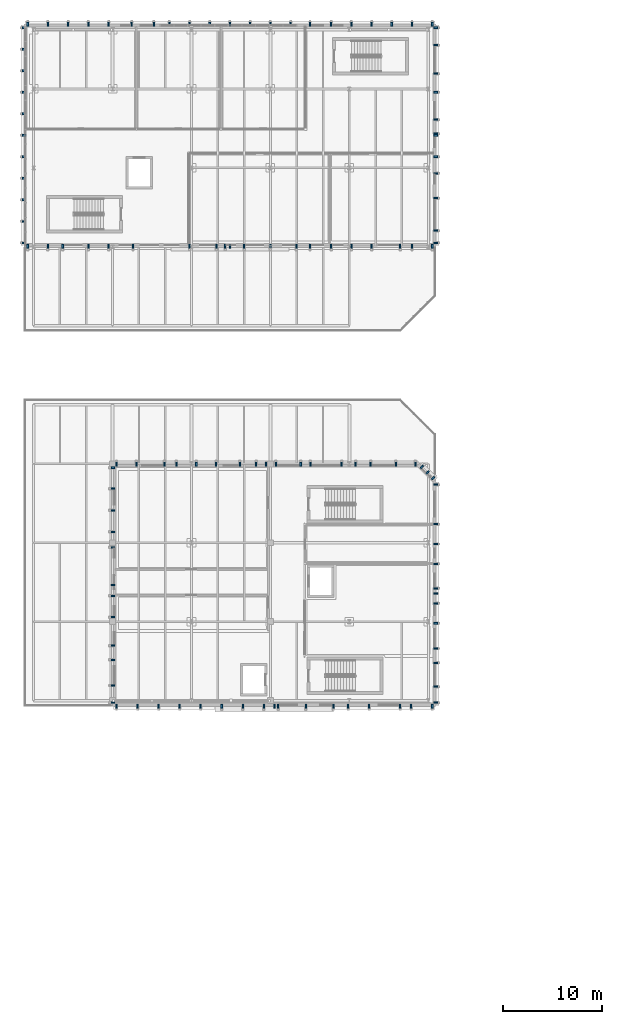
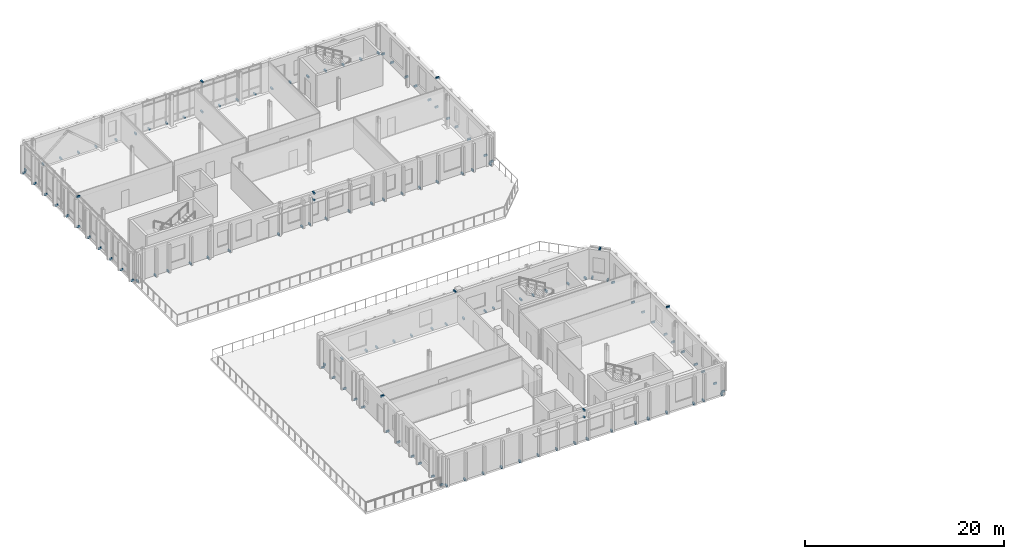
# One storey, part 31 of 43: 129 discrete accessories.
"""IFC4 building model written with IfcOpenShell, lengths in metres."""

from ifc_helpers import new_model, si_unit, direction, frame, origin, origin_2d, place, context, subcontext, project, spatial, rectangle, extrude, material, type_object, element, save


model = new_model("IFC4")

# Units and contexts
model_context = context("Model", 3, precision=1e-05, world=origin(), true_north=direction((0.0, 1.0)))
body_context = subcontext(model_context, "Body", "Model", "MODEL_VIEW")
ifc_project = project(units=[si_unit("LENGTHUNIT", "METRE"), si_unit("AREAUNIT", "SQUARE_METRE"), si_unit("VOLUMEUNIT", "CUBIC_METRE"), si_unit("PLANEANGLEUNIT", "RADIAN"), si_unit("MASSUNIT", "GRAM", prefix="KILO")], contexts=[model_context])

# Site, building, storey
site_placement = place(None, origin())
site = spatial("IfcSite", under=ifc_project, at=site_placement, CompositionType="ELEMENT")
building_placement = place(site_placement, origin())
building = spatial("IfcBuilding", under=site, at=building_placement, Name="Cymarion Research Institute", CompositionType="ELEMENT")
storey_placement = place(building_placement, frame((0.0, 0.0, 22.800048828125)))
storey = spatial("IfcBuildingStorey", under=building, at=storey_placement, Name="L05", CompositionType="ELEMENT", Elevation=22.800048828125)

# Discrete accessories
ifc_material = material(Name="Steel S355", Category="steel")
discrete_accessory_type = type_object("IfcDiscreteAccessoryType", Name="STAINLESS STEEL FACADE FIN BRACKET FBK1", PredefinedType="BRACKET", material=ifc_material)
discrete_accessory_1_placement = place(storey_placement, frame((31.0, 46.93994140625, 3.60009765625), z_axis=(0.0, 0.0, 1.0), x_axis=(0.0, -1.0, 0.0)))
element("IfcDiscreteAccessory", 1, at=discrete_accessory_1_placement, inside=storey, type_object=discrete_accessory_type, Name="L05 V4 spandrel brow anchor bracket #975", PredefinedType="BRACKET", context=body_context, shape_type="SweptSolid", body=[
    extrude(rectangle(XDim=0.3798828125, YDim=0.159912109375, at=origin_2d()), origin(), (0.0, 0.0, 1.0), 0.199951171875),
])
for number, where, z_axis, x_axis, name in (
    (2, (15.0, 46.93994140625, -0.08984375), (0.0, 0.0, 1.0), (0.0, -1.0, 0.0), "L05 V4 vertical rib anchor bracket #976"),
    (3, (17.13330078125, 46.93994140625, -0.08984375), (0.0, 0.0, 1.0), (0.0, -1.0, 0.0), "L05 V4 vertical rib anchor bracket #977"),
    (4, (19.2666015625, 46.93994140625, -0.08984375), (0.0, 0.0, 1.0), (0.0, -1.0, 0.0), "L05 V4 vertical rib anchor bracket #978"),
    (5, (21.39990234375, 46.93994140625, -0.08984375), (0.0, 0.0, 1.0), (0.0, -1.0, 0.0), "L05 V4 vertical rib anchor bracket #979"),
    (6, (23.533203125, 46.93994140625, -0.08984375), (0.0, 0.0, 1.0), (0.0, -1.0, 0.0), "L05 V4 vertical rib anchor bracket #980"),
    (7, (25.666748046875, 46.93994140625, -0.08984375), (0.0, 0.0, 1.0), (0.0, -1.0, 0.0), "L05 V4 vertical rib anchor bracket #981"),
    (8, (27.800048828125, 46.93994140625, -0.08984375), (0.0, 0.0, 1.0), (0.0, -1.0, 0.0), "L05 V4 vertical rib anchor bracket #982"),
    (9, (29.933349609375, 46.93994140625, -0.08984375), (0.0, 0.0, 1.0), (0.0, -1.0, 0.0), "L05 V4 vertical rib anchor bracket #983"),
    (10, (31.3798828125, 46.93994140625, -0.08984375), (0.0, 0.0, 1.0), (0.0, -1.0, 0.0), "L05 V4 vertical rib anchor bracket #984"),
    (11, (34.199951171875, 46.93994140625, -0.08984375), (0.0, 0.0, 1.0), (0.0, -1.0, 0.0), "L05 V4 vertical rib anchor bracket #985"),
    (12, (36.97998046875, 46.93994140625, -0.08984375), (0.0, 0.0, 1.0), (0.0, -1.0, 0.0), "L05 V4 vertical rib anchor bracket #986"),
    (13, (38.466796875, 46.93994140625, -0.08984375), (0.0, 0.0, 1.0), (0.0, -1.0, 0.0), "L05 V4 vertical rib anchor bracket #987"),
    (14, (40.60009765625, 46.93994140625, -0.08984375), (0.0, 0.0, 1.0), (0.0, -1.0, 0.0), "L05 V4 vertical rib anchor bracket #988"),
    (15, (43.75, 46.93994140625, -0.08984375), (0.0, 0.0, 1.0), (0.0, -1.0, 0.0), "L05 V4 vertical rib anchor bracket #989"),
    (16, (44.86669921875, 46.93994140625, -0.08984375), (0.0, 0.0, 1.0), (0.0, -1.0, 0.0), "L05 V4 vertical rib anchor bracket #990"),
    (17, (47.0, 46.93994140625, -0.08984375), (0.0, 0.0, 1.0), (0.0, -1.0, 0.0), "L05 V4 vertical rib anchor bracket #991"),
):
    element("IfcDiscreteAccessory", number, at=place(storey_placement, frame(where, z_axis=z_axis, x_axis=x_axis)), inside=storey, type_object=discrete_accessory_type, Name=name, PredefinedType="BRACKET", context=body_context, shape_type="SweptSolid", body=[
        extrude(rectangle(XDim=0.3798828125, YDim=0.159912109375, at=origin_2d()), origin(), (0.0, 0.0, 1.0), 0.219970703125),
    ])
discrete_accessory_2_placement = place(storey_placement, frame((31.0, 46.949951171875, 2.72998046875), z_axis=(0.0, 0.0, 1.0), x_axis=(0.0, -1.0, 0.0)))
element("IfcDiscreteAccessory", 18, at=discrete_accessory_2_placement, inside=storey, type_object=discrete_accessory_type, Name="L05 V4 sunshade anchor bracket #11", PredefinedType="BRACKET", context=body_context, shape_type="SweptSolid", body=[
    extrude(rectangle(XDim=0.3798828125, YDim=0.159912109375, at=origin_2d()), origin(), (0.0, 0.0, 1.0), 0.179931640625),
])
discrete_accessory_3_placement = place(storey_placement, frame((47.360107421875, 58.35009765625, 3.60009765625), z_axis=(0.0, 0.0, 1.0), x_axis=(1.0, 0.0, 0.0)))
element("IfcDiscreteAccessory", 19, at=discrete_accessory_3_placement, inside=storey, type_object=discrete_accessory_type, Name="L05 V4 spandrel brow anchor bracket #992", PredefinedType="BRACKET", context=body_context, shape_type="SweptSolid", body=[
    extrude(rectangle(XDim=0.3798828125, YDim=0.159912109375, at=origin_2d()), origin(), (0.0, 0.0, 1.0), 0.199951171875),
])
for number, where, z_axis, x_axis, name in (
    (20, (47.360107421875, 47.300048828125, -0.08984375), (0.0, 0.0, 1.0), (1.0, 0.0, 0.0), "L05 V4 vertical rib anchor bracket #993"),
    (21, (47.360107421875, 48.919921875, -0.08984375), (0.0, 0.0, 1.0), (1.0, 0.0, 0.0), "L05 V4 vertical rib anchor bracket #994"),
    (22, (47.360107421875, 51.318115234375, -0.08984375), (0.0, 0.0, 1.0), (1.0, 0.0, 0.0), "L05 V4 vertical rib anchor bracket #995"),
    (23, (47.360107421875, 52.780029296875, -0.08984375), (0.0, 0.0, 1.0), (1.0, 0.0, 0.0), "L05 V4 vertical rib anchor bracket #996"),
    (24, (47.360107421875, 55.33642578125, -0.08984375), (0.0, 0.0, 1.0), (1.0, 0.0, 0.0), "L05 V4 vertical rib anchor bracket #997"),
    (25, (47.360107421875, 57.345458984375, -0.08984375), (0.0, 0.0, 1.0), (1.0, 0.0, 0.0), "L05 V4 vertical rib anchor bracket #998"),
    (26, (47.360107421875, 58.875, -0.08984375), (0.0, 0.0, 1.0), (1.0, 0.0, 0.0), "L05 V4 vertical rib anchor bracket #999"),
    (27, (47.360107421875, 61.363525390625, -0.08984375), (0.0, 0.0, 1.0), (1.0, 0.0, 0.0), "L05 V4 vertical rib anchor bracket #1000"),
    (28, (47.360107421875, 63.372802734375, -0.08984375), (0.0, 0.0, 1.0), (1.0, 0.0, 0.0), "L05 V4 vertical rib anchor bracket #1001"),
    (29, (47.360107421875, 65.3818359375, -0.08984375), (0.0, 0.0, 1.0), (1.0, 0.0, 0.0), "L05 V4 vertical rib anchor bracket #1002"),
    (30, (47.360107421875, 69.39990234375, -0.08984375), (0.0, 0.0, 1.0), (1.0, 0.0, 0.0), "L05 V4 vertical rib anchor bracket #1003"),
):
    element("IfcDiscreteAccessory", number, at=place(storey_placement, frame(where, z_axis=z_axis, x_axis=x_axis)), inside=storey, type_object=discrete_accessory_type, Name=name, PredefinedType="BRACKET", context=body_context, shape_type="SweptSolid", body=[
        extrude(rectangle(XDim=0.3798828125, YDim=0.159912109375, at=origin_2d()), origin(), (0.0, 0.0, 1.0), 0.219970703125),
    ])
discrete_accessory_4_placement = place(storey_placement, frame((46.521728515625, 70.62158203125, 3.60009765625), z_axis=(0.0, 0.0, 1.0), x_axis=(0.707106781187, 0.707106781187, 0.0)))
element("IfcDiscreteAccessory", 31, at=discrete_accessory_4_placement, inside=storey, type_object=discrete_accessory_type, Name="L05 V4 spandrel brow anchor bracket #1004", PredefinedType="BRACKET", context=body_context, shape_type="SweptSolid", body=[
    extrude(rectangle(XDim=0.3798828125, YDim=0.159912109375, at=origin_2d()), origin(), (0.0, 0.0, 1.0), 0.199951171875),
])
for number, where, z_axis, x_axis, name in (
    (32, (47.0888671875, 70.0546875, -0.08984375), (0.0, 0.0, 1.0), (0.707106781187, 0.707106781187, 0.0), "L05 V4 vertical rib anchor bracket #1005"),
    (33, (45.95458984375, 71.18896484375, -0.08984375), (0.0, 0.0, 1.0), (0.707106781187, 0.707106781187, 0.0), "L05 V4 vertical rib anchor bracket #1006"),
):
    element("IfcDiscreteAccessory", number, at=place(storey_placement, frame(where, z_axis=z_axis, x_axis=x_axis)), inside=storey, type_object=discrete_accessory_type, Name=name, PredefinedType="BRACKET", context=body_context, shape_type="SweptSolid", body=[
        extrude(rectangle(XDim=0.3798828125, YDim=0.159912109375, at=origin_2d()), origin(), (0.0, 0.0, 1.0), 0.219970703125),
    ])
discrete_accessory_5_placement = place(storey_placement, frame((30.14990234375, 71.4599609375, 3.60009765625), z_axis=(0.0, 0.0, 1.0), x_axis=(0.0, 1.0, 0.0)))
element("IfcDiscreteAccessory", 34, at=discrete_accessory_5_placement, inside=storey, type_object=discrete_accessory_type, Name="L05 V4 spandrel brow anchor bracket #1007", PredefinedType="BRACKET", context=body_context, shape_type="SweptSolid", body=[
    extrude(rectangle(XDim=0.3798828125, YDim=0.159912109375, at=origin_2d()), origin(), (0.0, 0.0, 1.0), 0.199951171875),
])
for number, where, z_axis, x_axis, name in (
    (35, (45.300048828125, 71.4599609375, -0.08984375), (0.0, 0.0, 1.0), (0.0, 1.0, 0.0), "L05 V4 vertical rib anchor bracket #1008"),
    (36, (43.313232421875, 71.4599609375, -0.08984375), (0.0, 0.0, 1.0), (0.0, 1.0, 0.0), "L05 V4 vertical rib anchor bracket #1009"),
    (37, (40.76318359375, 71.4599609375, -0.08984375), (0.0, 0.0, 1.0), (0.0, 1.0, 0.0), "L05 V4 vertical rib anchor bracket #1010"),
    (38, (39.239990234375, 71.4599609375, -0.08984375), (0.0, 0.0, 1.0), (0.0, 1.0, 0.0), "L05 V4 vertical rib anchor bracket #1011"),
    (39, (37.80517578125, 71.4599609375, -0.08984375), (0.0, 0.0, 1.0), (0.0, 1.0, 0.0), "L05 V4 vertical rib anchor bracket #1012"),
    (40, (34.6552734375, 71.4599609375, -0.08984375), (0.0, 0.0, 1.0), (0.0, 1.0, 0.0), "L05 V4 vertical rib anchor bracket #1013"),
    (41, (33.670166015625, 71.4599609375, -0.08984375), (0.0, 0.0, 1.0), (0.0, 1.0, 0.0), "L05 V4 vertical rib anchor bracket #1014"),
    (42, (31.159912109375, 71.4599609375, -0.08984375), (0.0, 0.0, 1.0), (0.0, 1.0, 0.0), "L05 V4 vertical rib anchor bracket #1015"),
    (43, (29.139892578125, 71.4599609375, -0.08984375), (0.0, 0.0, 1.0), (0.0, 1.0, 0.0), "L05 V4 vertical rib anchor bracket #1016"),
    (44, (27.500244140625, 71.4599609375, -0.08984375), (0.0, 0.0, 1.0), (0.0, 1.0, 0.0), "L05 V4 vertical rib anchor bracket #1017"),
    (45, (25.10009765625, 71.4599609375, -0.08984375), (0.0, 0.0, 1.0), (0.0, 1.0, 0.0), "L05 V4 vertical rib anchor bracket #1018"),
    (46, (23.080078125, 71.4599609375, -0.08984375), (0.0, 0.0, 1.0), (0.0, 1.0, 0.0), "L05 V4 vertical rib anchor bracket #1019"),
    (47, (21.06005859375, 71.4599609375, -0.08984375), (0.0, 0.0, 1.0), (0.0, 1.0, 0.0), "L05 V4 vertical rib anchor bracket #1020"),
    (48, (19.85009765625, 71.4599609375, -0.08984375), (0.0, 0.0, 1.0), (0.0, 1.0, 0.0), "L05 V4 vertical rib anchor bracket #1021"),
    (49, (17.02001953125, 71.4599609375, -0.08984375), (0.0, 0.0, 1.0), (0.0, 1.0, 0.0), "L05 V4 vertical rib anchor bracket #1022"),
    (50, (15.0, 71.4599609375, -0.08984375), (0.0, 0.0, 1.0), (0.0, 1.0, 0.0), "L05 V4 vertical rib anchor bracket #1023"),
):
    element("IfcDiscreteAccessory", number, at=place(storey_placement, frame(where, z_axis=z_axis, x_axis=x_axis)), inside=storey, type_object=discrete_accessory_type, Name=name, PredefinedType="BRACKET", context=body_context, shape_type="SweptSolid", body=[
        extrude(rectangle(XDim=0.3798828125, YDim=0.159912109375, at=origin_2d()), origin(), (0.0, 0.0, 1.0), 0.219970703125),
    ])
discrete_accessory_6_placement = place(storey_placement, frame((14.639892578125, 59.199951171875, 3.60009765625), z_axis=(0.0, 0.0, 1.0), x_axis=(-1.0, 0.0, 0.0)))
element("IfcDiscreteAccessory", 51, at=discrete_accessory_6_placement, inside=storey, type_object=discrete_accessory_type, Name="L05 V4 spandrel brow anchor bracket #1024", PredefinedType="BRACKET", context=body_context, shape_type="SweptSolid", body=[
    extrude(rectangle(XDim=0.3798828125, YDim=0.159912109375, at=origin_2d()), origin(), (0.0, 0.0, 1.0), 0.199951171875),
])
for number, where, z_axis, x_axis, name in (
    (52, (14.639892578125, 71.10009765625, -0.08984375), (0.0, 0.0, 1.0), (-1.0, 0.0, 0.0), "L05 V4 vertical rib anchor bracket #1025"),
    (53, (14.639892578125, 68.993896484375, -0.08984375), (0.0, 0.0, 1.0), (-1.0, 0.0, 0.0), "L05 V4 vertical rib anchor bracket #1026"),
    (54, (14.639892578125, 66.772705078125, -0.08984375), (0.0, 0.0, 1.0), (-1.0, 0.0, 0.0), "L05 V4 vertical rib anchor bracket #1027"),
    (55, (14.639892578125, 64.609130859375, -0.08984375), (0.0, 0.0, 1.0), (-1.0, 0.0, 0.0), "L05 V4 vertical rib anchor bracket #1028"),
    (56, (14.639892578125, 63.030029296875, -0.08984375), (0.0, 0.0, 1.0), (-1.0, 0.0, 0.0), "L05 V4 vertical rib anchor bracket #1029"),
    (57, (14.639892578125, 58.1181640625, -0.08984375), (0.0, 0.0, 1.0), (-1.0, 0.0, 0.0), "L05 V4 vertical rib anchor bracket #1030"),
    (58, (14.639892578125, 55.95458984375, -0.08984375), (0.0, 0.0, 1.0), (-1.0, 0.0, 0.0), "L05 V4 vertical rib anchor bracket #1031"),
    (59, (14.639892578125, 53.080078125, -0.08984375), (0.0, 0.0, 1.0), (-1.0, 0.0, 0.0), "L05 V4 vertical rib anchor bracket #1032"),
    (60, (14.639892578125, 51.627197265625, -0.08984375), (0.0, 0.0, 1.0), (-1.0, 0.0, 0.0), "L05 V4 vertical rib anchor bracket #1033"),
    (61, (14.639892578125, 49.030029296875, -0.08984375), (0.0, 0.0, 1.0), (-1.0, 0.0, 0.0), "L05 V4 vertical rib anchor bracket #1034"),
    (62, (14.639892578125, 47.300048828125, -0.08984375), (0.0, 0.0, 1.0), (-1.0, 0.0, 0.0), "L05 V4 vertical rib anchor bracket #1035"),
):
    element("IfcDiscreteAccessory", number, at=place(storey_placement, frame(where, z_axis=z_axis, x_axis=x_axis)), inside=storey, type_object=discrete_accessory_type, Name=name, PredefinedType="BRACKET", context=body_context, shape_type="SweptSolid", body=[
        extrude(rectangle(XDim=0.3798828125, YDim=0.159912109375, at=origin_2d()), origin(), (0.0, 0.0, 1.0), 0.219970703125),
    ])
discrete_accessory_7_placement = place(storey_placement, frame((26.5, 93.5400390625, 3.60009765625), z_axis=(0.0, 0.0, 1.0), x_axis=(0.0, -1.0, 0.0)))
element("IfcDiscreteAccessory", 63, at=discrete_accessory_7_placement, inside=storey, type_object=discrete_accessory_type, Name="L05 V5 spandrel brow anchor bracket #1036", PredefinedType="BRACKET", context=body_context, shape_type="SweptSolid", body=[
    extrude(rectangle(XDim=0.3798828125, YDim=0.159912109375, at=origin_2d()), origin(), (0.0, 0.0, 1.0), 0.199951171875),
])
for number, where, z_axis, x_axis, name in (
    (64, (6.0, 93.5400390625, -0.08984375), (0.0, 0.0, 1.0), (0.0, -1.0, 0.0), "L05 V5 vertical rib anchor bracket #1037"),
    (65, (8.050048828125, 93.5400390625, -0.08984375), (0.0, 0.0, 1.0), (0.0, -1.0, 0.0), "L05 V5 vertical rib anchor bracket #1038"),
    (66, (9.550048828125, 93.5400390625, -0.08984375), (0.0, 0.0, 1.0), (0.0, -1.0, 0.0), "L05 V5 vertical rib anchor bracket #1039"),
    (67, (12.14990234375, 93.5400390625, -0.08984375), (0.0, 0.0, 1.0), (0.0, -1.0, 0.0), "L05 V5 vertical rib anchor bracket #1040"),
    (68, (14.199951171875, 93.5400390625, -0.08984375), (0.0, 0.0, 1.0), (0.0, -1.0, 0.0), "L05 V5 vertical rib anchor bracket #1041"),
    (69, (16.669921875, 93.5400390625, -0.08984375), (0.0, 0.0, 1.0), (0.0, -1.0, 0.0), "L05 V5 vertical rib anchor bracket #1042"),
    (70, (22.39990234375, 93.5400390625, -0.08984375), (0.0, 0.0, 1.0), (0.0, -1.0, 0.0), "L05 V5 vertical rib anchor bracket #1043"),
    (71, (25.1201171875, 93.5400390625, -0.08984375), (0.0, 0.0, 1.0), (0.0, -1.0, 0.0), "L05 V5 vertical rib anchor bracket #1044"),
    (72, (26.0, 93.5400390625, -0.08984375), (0.0, 0.0, 1.0), (0.0, -1.0, 0.0), "L05 V5 vertical rib anchor bracket #1045"),
    (73, (27.929931640625, 93.5400390625, -0.08984375), (0.0, 0.0, 1.0), (0.0, -1.0, 0.0), "L05 V5 vertical rib anchor bracket #1046"),
    (74, (30.60009765625, 93.5400390625, -0.08984375), (0.0, 0.0, 1.0), (0.0, -1.0, 0.0), "L05 V5 vertical rib anchor bracket #1047"),
    (75, (33.22998046875, 93.5400390625, -0.08984375), (0.0, 0.0, 1.0), (0.0, -1.0, 0.0), "L05 V5 vertical rib anchor bracket #1048"),
    (76, (34.610107421875, 93.5400390625, -0.08984375), (0.0, 0.0, 1.0), (0.0, -1.0, 0.0), "L05 V5 vertical rib anchor bracket #1049"),
    (77, (36.75, 93.5400390625, -0.08984375), (0.0, 0.0, 1.0), (0.0, -1.0, 0.0), "L05 V5 vertical rib anchor bracket #1050"),
    (78, (38.800048828125, 93.5400390625, -0.08984375), (0.0, 0.0, 1.0), (0.0, -1.0, 0.0), "L05 V5 vertical rib anchor bracket #1051"),
    (79, (40.85009765625, 93.5400390625, -0.08984375), (0.0, 0.0, 1.0), (0.0, -1.0, 0.0), "L05 V5 vertical rib anchor bracket #1052"),
    (80, (43.75, 93.5400390625, -0.08984375), (0.0, 0.0, 1.0), (0.0, -1.0, 0.0), "L05 V5 vertical rib anchor bracket #1053"),
    (81, (44.949951171875, 93.5400390625, -0.08984375), (0.0, 0.0, 1.0), (0.0, -1.0, 0.0), "L05 V5 vertical rib anchor bracket #1054"),
    (82, (47.0, 93.5400390625, -0.08984375), (0.0, 0.0, 1.0), (0.0, -1.0, 0.0), "L05 V5 vertical rib anchor bracket #1055"),
):
    element("IfcDiscreteAccessory", number, at=place(storey_placement, frame(where, z_axis=z_axis, x_axis=x_axis)), inside=storey, type_object=discrete_accessory_type, Name=name, PredefinedType="BRACKET", context=body_context, shape_type="SweptSolid", body=[
        extrude(rectangle(XDim=0.3798828125, YDim=0.159912109375, at=origin_2d()), origin(), (0.0, 0.0, 1.0), 0.219970703125),
    ])
discrete_accessory_8_placement = place(storey_placement, frame((26.5, 93.550048828125, 2.72998046875), z_axis=(0.0, 0.0, 1.0), x_axis=(0.0, -1.0, 0.0)))
element("IfcDiscreteAccessory", 83, at=discrete_accessory_8_placement, inside=storey, type_object=discrete_accessory_type, Name="L05 V5 sunshade anchor bracket #12", PredefinedType="BRACKET", context=body_context, shape_type="SweptSolid", body=[
    extrude(rectangle(XDim=0.3798828125, YDim=0.159912109375, at=origin_2d()), origin(), (0.0, 0.0, 1.0), 0.179931640625),
])
discrete_accessory_9_placement = place(storey_placement, frame((47.360107421875, 104.800048828125, 3.60009765625), z_axis=(0.0, 0.0, 1.0), x_axis=(1.0, 0.0, 0.0)))
element("IfcDiscreteAccessory", 84, at=discrete_accessory_9_placement, inside=storey, type_object=discrete_accessory_type, Name="L05 V5 spandrel brow anchor bracket #1056", PredefinedType="BRACKET", context=body_context, shape_type="SweptSolid", body=[
    extrude(rectangle(XDim=0.3798828125, YDim=0.159912109375, at=origin_2d()), origin(), (0.0, 0.0, 1.0), 0.199951171875),
])
for number, where, z_axis, x_axis, name in (
    (85, (47.360107421875, 93.89990234375, -0.08984375), (0.0, 0.0, 1.0), (1.0, 0.0, 0.0), "L05 V5 vertical rib anchor bracket #1057"),
    (86, (47.360107421875, 95.131103515625, -0.08984375), (0.0, 0.0, 1.0), (1.0, 0.0, 0.0), "L05 V5 vertical rib anchor bracket #1058"),
    (87, (47.360107421875, 98.430908203125, -0.08984375), (0.0, 0.0, 1.0), (1.0, 0.0, 0.0), "L05 V5 vertical rib anchor bracket #1059"),
    (88, (47.360107421875, 100.929931640625, -0.08984375), (0.0, 0.0, 1.0), (1.0, 0.0, 0.0), "L05 V5 vertical rib anchor bracket #1060"),
    (89, (47.360107421875, 102.6201171875, -0.08984375), (0.0, 0.0, 1.0), (1.0, 0.0, 0.0), "L05 V5 vertical rib anchor bracket #1061"),
    (90, (47.360107421875, 104.949951171875, -0.08984375), (0.0, 0.0, 1.0), (1.0, 0.0, 0.0), "L05 V5 vertical rib anchor bracket #1062"),
    (91, (47.360107421875, 106.3798828125, -0.08984375), (0.0, 0.0, 1.0), (1.0, 0.0, 0.0), "L05 V5 vertical rib anchor bracket #1063"),
    (92, (47.360107421875, 109.159912109375, -0.08984375), (0.0, 0.0, 1.0), (1.0, 0.0, 0.0), "L05 V5 vertical rib anchor bracket #1064"),
    (93, (47.360107421875, 111.0400390625, -0.08984375), (0.0, 0.0, 1.0), (1.0, 0.0, 0.0), "L05 V5 vertical rib anchor bracket #1065"),
    (94, (47.360107421875, 113.93994140625, -0.08984375), (0.0, 0.0, 1.0), (1.0, 0.0, 0.0), "L05 V5 vertical rib anchor bracket #1066"),
    (95, (47.360107421875, 115.699951171875, -0.08984375), (0.0, 0.0, 1.0), (1.0, 0.0, 0.0), "L05 V5 vertical rib anchor bracket #1067"),
):
    element("IfcDiscreteAccessory", number, at=place(storey_placement, frame(where, z_axis=z_axis, x_axis=x_axis)), inside=storey, type_object=discrete_accessory_type, Name=name, PredefinedType="BRACKET", context=body_context, shape_type="SweptSolid", body=[
        extrude(rectangle(XDim=0.3798828125, YDim=0.159912109375, at=origin_2d()), origin(), (0.0, 0.0, 1.0), 0.219970703125),
    ])
discrete_accessory_10_placement = place(storey_placement, frame((26.5, 116.06005859375, 3.60009765625), z_axis=(0.0, 0.0, 1.0), x_axis=(0.0, 1.0, 0.0)))
element("IfcDiscreteAccessory", 96, at=discrete_accessory_10_placement, inside=storey, type_object=discrete_accessory_type, Name="L05 V5 spandrel brow anchor bracket #1068", PredefinedType="BRACKET", context=body_context, shape_type="SweptSolid", body=[
    extrude(rectangle(XDim=0.3798828125, YDim=0.159912109375, at=origin_2d()), origin(), (0.0, 0.0, 1.0), 0.199951171875),
])
for number, where, z_axis, x_axis, name in (
    (97, (47.0, 116.06005859375, -0.08984375), (0.0, 0.0, 1.0), (0.0, 1.0, 0.0), "L05 V5 vertical rib anchor bracket #1069"),
    (98, (44.949951171875, 116.06005859375, -0.08984375), (0.0, 0.0, 1.0), (0.0, 1.0, 0.0), "L05 V5 vertical rib anchor bracket #1070"),
    (99, (42.89990234375, 116.06005859375, -0.08984375), (0.0, 0.0, 1.0), (0.0, 1.0, 0.0), "L05 V5 vertical rib anchor bracket #1071"),
    (100, (40.85009765625, 116.06005859375, -0.08984375), (0.0, 0.0, 1.0), (0.0, 1.0, 0.0), "L05 V5 vertical rib anchor bracket #1072"),
    (101, (38.800048828125, 116.06005859375, -0.08984375), (0.0, 0.0, 1.0), (0.0, 1.0, 0.0), "L05 V5 vertical rib anchor bracket #1073"),
    (102, (36.75, 116.06005859375, -0.08984375), (0.0, 0.0, 1.0), (0.0, 1.0, 0.0), "L05 V5 vertical rib anchor bracket #1074"),
    (103, (34.610107421875, 116.06005859375, -0.08984375), (0.0, 0.0, 1.0), (0.0, 1.0, 0.0), "L05 V5 vertical rib anchor bracket #1075"),
    (104, (32.64990234375, 116.06005859375, -0.08984375), (0.0, 0.0, 1.0), (0.0, 1.0, 0.0), "L05 V5 vertical rib anchor bracket #1076"),
    (105, (30.60009765625, 116.06005859375, -0.08984375), (0.0, 0.0, 1.0), (0.0, 1.0, 0.0), "L05 V5 vertical rib anchor bracket #1077"),
    (106, (28.550048828125, 116.06005859375, -0.08984375), (0.0, 0.0, 1.0), (0.0, 1.0, 0.0), "L05 V5 vertical rib anchor bracket #1078"),
    (107, (26.5, 116.06005859375, -0.08984375), (0.0, 0.0, 1.0), (0.0, 1.0, 0.0), "L05 V5 vertical rib anchor bracket #1079"),
    (108, (24.449951171875, 116.06005859375, -0.08984375), (0.0, 0.0, 1.0), (0.0, 1.0, 0.0), "L05 V5 vertical rib anchor bracket #1080"),
    (109, (22.39990234375, 116.06005859375, -0.08984375), (0.0, 0.0, 1.0), (0.0, 1.0, 0.0), "L05 V5 vertical rib anchor bracket #1081"),
    (110, (20.35009765625, 116.06005859375, -0.08984375), (0.0, 0.0, 1.0), (0.0, 1.0, 0.0), "L05 V5 vertical rib anchor bracket #1082"),
    (111, (18.79296875, 116.06005859375, -0.08984375), (0.0, 0.0, 1.0), (0.0, 1.0, 0.0), "L05 V5 vertical rib anchor bracket #1083"),
    (112, (16.530029296875, 116.06005859375, -0.08984375), (0.0, 0.0, 1.0), (0.0, 1.0, 0.0), "L05 V5 vertical rib anchor bracket #1084"),
    (113, (14.199951171875, 116.06005859375, -0.08984375), (0.0, 0.0, 1.0), (0.0, 1.0, 0.0), "L05 V5 vertical rib anchor bracket #1085"),
    (114, (12.14990234375, 116.06005859375, -0.08984375), (0.0, 0.0, 1.0), (0.0, 1.0, 0.0), "L05 V5 vertical rib anchor bracket #1086"),
    (115, (10.10009765625, 116.06005859375, -0.08984375), (0.0, 0.0, 1.0), (0.0, 1.0, 0.0), "L05 V5 vertical rib anchor bracket #1087"),
    (116, (8.050048828125, 116.06005859375, -0.08984375), (0.0, 0.0, 1.0), (0.0, 1.0, 0.0), "L05 V5 vertical rib anchor bracket #1088"),
    (117, (6.0, 116.06005859375, -0.08984375), (0.0, 0.0, 1.0), (0.0, 1.0, 0.0), "L05 V5 vertical rib anchor bracket #1089"),
):
    element("IfcDiscreteAccessory", number, at=place(storey_placement, frame(where, z_axis=z_axis, x_axis=x_axis)), inside=storey, type_object=discrete_accessory_type, Name=name, PredefinedType="BRACKET", context=body_context, shape_type="SweptSolid", body=[
        extrude(rectangle(XDim=0.3798828125, YDim=0.159912109375, at=origin_2d()), origin(), (0.0, 0.0, 1.0), 0.219970703125),
    ])
discrete_accessory_11_placement = place(storey_placement, frame((5.639892578125, 104.800048828125, 3.60009765625), z_axis=(0.0, 0.0, 1.0), x_axis=(-1.0, 0.0, 0.0)))
element("IfcDiscreteAccessory", 118, at=discrete_accessory_11_placement, inside=storey, type_object=discrete_accessory_type, Name="L05 V5 spandrel brow anchor bracket #1090", PredefinedType="BRACKET", context=body_context, shape_type="SweptSolid", body=[
    extrude(rectangle(XDim=0.3798828125, YDim=0.159912109375, at=origin_2d()), origin(), (0.0, 0.0, 1.0), 0.199951171875),
])
for number, where, z_axis, x_axis, name in (
    (119, (5.639892578125, 115.699951171875, -0.08984375), (0.0, 0.0, 1.0), (-1.0, 0.0, 0.0), "L05 V5 vertical rib anchor bracket #1091"),
    (120, (5.639892578125, 113.52001953125, -0.08984375), (0.0, 0.0, 1.0), (-1.0, 0.0, 0.0), "L05 V5 vertical rib anchor bracket #1092"),
    (121, (5.639892578125, 111.340087890625, -0.08984375), (0.0, 0.0, 1.0), (-1.0, 0.0, 0.0), "L05 V5 vertical rib anchor bracket #1093"),
    (122, (5.639892578125, 109.159912109375, -0.08984375), (0.0, 0.0, 1.0), (-1.0, 0.0, 0.0), "L05 V5 vertical rib anchor bracket #1094"),
    (123, (5.639892578125, 106.97998046875, -0.08984375), (0.0, 0.0, 1.0), (-1.0, 0.0, 0.0), "L05 V5 vertical rib anchor bracket #1095"),
    (124, (5.639892578125, 104.800048828125, -0.08984375), (0.0, 0.0, 1.0), (-1.0, 0.0, 0.0), "L05 V5 vertical rib anchor bracket #1096"),
    (125, (5.639892578125, 102.6201171875, -0.08984375), (0.0, 0.0, 1.0), (-1.0, 0.0, 0.0), "L05 V5 vertical rib anchor bracket #1097"),
    (126, (5.639892578125, 100.43994140625, -0.08984375), (0.0, 0.0, 1.0), (-1.0, 0.0, 0.0), "L05 V5 vertical rib anchor bracket #1098"),
    (127, (5.639892578125, 98.260009765625, -0.08984375), (0.0, 0.0, 1.0), (-1.0, 0.0, 0.0), "L05 V5 vertical rib anchor bracket #1099"),
    (128, (5.639892578125, 96.080078125, -0.08984375), (0.0, 0.0, 1.0), (-1.0, 0.0, 0.0), "L05 V5 vertical rib anchor bracket #1100"),
    (129, (5.639892578125, 93.89990234375, -0.08984375), (0.0, 0.0, 1.0), (-1.0, 0.0, 0.0), "L05 V5 vertical rib anchor bracket #1101"),
):
    element("IfcDiscreteAccessory", number, at=place(storey_placement, frame(where, z_axis=z_axis, x_axis=x_axis)), inside=storey, type_object=discrete_accessory_type, Name=name, PredefinedType="BRACKET", context=body_context, shape_type="SweptSolid", body=[
        extrude(rectangle(XDim=0.3798828125, YDim=0.159912109375, at=origin_2d()), origin(), (0.0, 0.0, 1.0), 0.219970703125),
    ])

save(model, "model.ifc")
